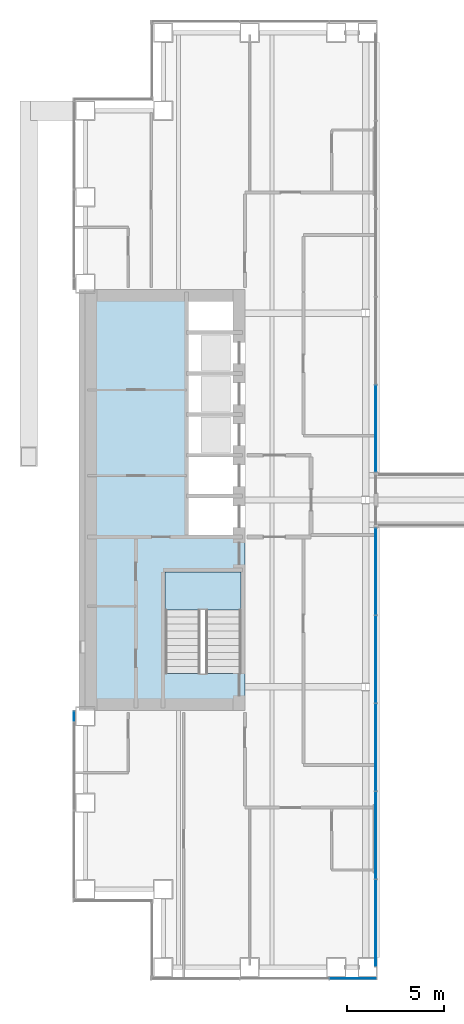
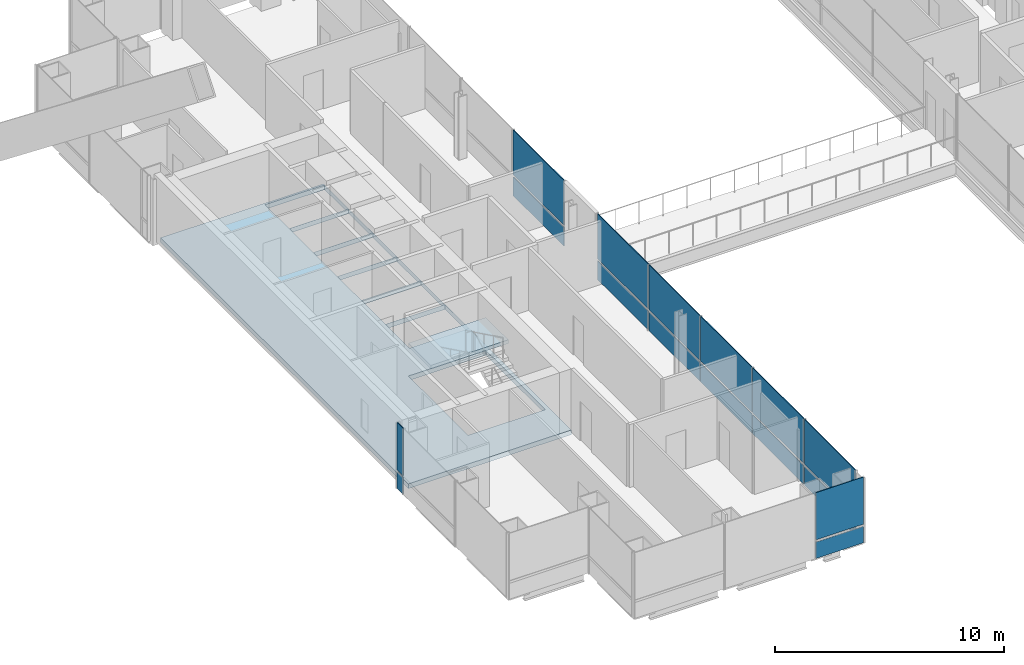
# One storey, part 9 of 19: 16 plates, 2 slabs, 5 elements without a shape of their own.
"""IFC4 building model written with IfcOpenShell, lengths in metres."""

from ifc_helpers import new_model, si_unit, direction, frame, origin, origin_2d, place, context, subcontext, project, spatial, polyline, rectangle, outline, extrude, material, layer, layer_set, type_object, element, aggregate, save


model = new_model("IFC4")

# Units and contexts
model_context = context("Model", 3, precision=1e-05, world=origin(), true_north=direction((0.0, 1.0)))
body_context = subcontext(model_context, "Body", "Model", "MODEL_VIEW")
ifc_project = project(units=[si_unit("LENGTHUNIT", "METRE"), si_unit("AREAUNIT", "SQUARE_METRE"), si_unit("VOLUMEUNIT", "CUBIC_METRE"), si_unit("PLANEANGLEUNIT", "RADIAN"), si_unit("MASSUNIT", "GRAM", prefix="KILO")], contexts=[model_context])

# Site, building, storey
site_placement = place(None, origin())
site = spatial("IfcSite", under=ifc_project, at=site_placement, CompositionType="ELEMENT")
building_placement = place(site_placement, origin())
building = spatial("IfcBuilding", under=site, at=building_placement, Name="Cobrizo Arcos Hotel Tower", CompositionType="ELEMENT")
storey_placement = place(building_placement, frame((0.0, 0.0, 70.5)))
storey = spatial("IfcBuildingStorey", under=building, at=storey_placement, Name="L16", CompositionType="ELEMENT", Elevation=70.5)

# Curtain wall, plate
ifc_material_1 = material(Name="Aluminium 6063-T6 anodised bronze", Category="aluminium")
curtain_wall_type_1 = type_object("IfcCurtainWallType", Name="CW-A guest facade", PredefinedType="NOTDEFINED", material=ifc_material_1)
curtain_wall_1_placement = place(storey_placement, origin())
curtain_wall_1 = element("IfcCurtainWall", 1, at=curtain_wall_1_placement, inside=storey, type_object=curtain_wall_type_1, Name="CW-A L16 S face", PredefinedType="NOTDEFINED")
ifc_material_2 = material(Name="Glass clear laminated low-e", Category="glass")
ifc_layer_1 = layer(ifc_material_2, 0.0400390625)
ifc_layer_set_1 = layer_set([ifc_layer_1], Name="CW-A glass panel")
plate_type_1 = type_object("IfcPlateType", Name="CW-A glass panel", PredefinedType="CURTAIN_PANEL", material=ifc_layer_set_1)
plate_1_placement = place(storey_placement, frame((-10.251220703125, -24.574951171875, 0.990234375), z_axis=(0.0, 0.0, 1.0), x_axis=(1.0, 0.0, 0.0)))
plate_1 = element("IfcPlate", 2, at=plate_1_placement, type_object=plate_type_1, Name="CW-A glass panel 687", PredefinedType="CURTAIN_PANEL", context=body_context, shape_type="SweptSolid", body=[
    extrude(rectangle(XDim=2.38232421875, YDim=0.0400390625, at=origin_2d()), origin(), (0.0, 0.0, 1.0), 2.510009765625),
])

curtain_wall_2_placement = place(storey_placement, origin())
curtain_wall_2 = element("IfcCurtainWall", 3, at=curtain_wall_2_placement, inside=storey, type_object=curtain_wall_type_1, Name="CW-A L16 W face", PredefinedType="NOTDEFINED")
plate_2_placement = place(storey_placement, frame((-24.574951171875, -11.109375, 0.990234375), z_axis=(0.0, 0.0, 1.0), x_axis=(0.0, -1.0, 0.0)))
plate_2 = element("IfcPlate", 4, at=plate_2_placement, type_object=plate_type_1, Name="CW-A glass panel 712", PredefinedType="CURTAIN_PANEL", context=body_context, shape_type="SweptSolid", body=[
    extrude(rectangle(XDim=0.498779296875, YDim=0.0400390625, at=origin_2d()), origin(), (0.0, 0.0, 1.0), 2.510009765625),
])

# Plate
ifc_material_3 = material(Name="Aluminium composite panel pale metal", Category="aluminium")
ifc_layer_2 = layer(ifc_material_3, 0.0400390625)
ifc_layer_set_2 = layer_set([ifc_layer_2], Name="CW-A spandrel panel")
plate_type_2 = type_object("IfcPlateType", Name="CW-A spandrel panel", PredefinedType="CURTAIN_PANEL", material=ifc_layer_set_2)
plate_3_placement = place(storey_placement, frame((-10.251220703125, -24.574951171875, 0.0), z_axis=(0.0, 0.0, 1.0), x_axis=(1.0, 0.0, 0.0)))
plate_3 = element("IfcPlate", 5, at=plate_3_placement, type_object=plate_type_2, Name="CW-A spandrel panel 687", PredefinedType="CURTAIN_PANEL", context=body_context, shape_type="SweptSolid", body=[
    extrude(rectangle(XDim=2.38232421875, YDim=0.0400390625, at=origin_2d()), origin(), (0.0, 0.0, 1.0), 0.8701171875),
])

aggregate(curtain_wall_1, [plate_3, plate_1])

plate_4_placement = place(storey_placement, frame((-24.574951171875, -11.109375, 0.0), z_axis=(0.0, 0.0, 1.0), x_axis=(0.0, -1.0, 0.0)))
plate_4 = element("IfcPlate", 6, at=plate_4_placement, type_object=plate_type_2, Name="CW-A spandrel panel 712", PredefinedType="CURTAIN_PANEL", context=body_context, shape_type="SweptSolid", body=[
    extrude(rectangle(XDim=0.498779296875, YDim=0.0400390625, at=origin_2d()), origin(), (0.0, 0.0, 1.0), 0.8701171875),
])

aggregate(curtain_wall_2, [plate_4, plate_2])

# Curtain wall, plates
curtain_wall_type_2 = type_object("IfcCurtainWallType", Name="CW-F void screen", PredefinedType="NOTDEFINED", material=ifc_material_1)
curtain_wall_3_placement = place(storey_placement, origin())
curtain_wall_3 = element("IfcCurtainWall", 7, at=curtain_wall_3_placement, inside=storey, type_object=curtain_wall_type_2, Name="CW-F L16 void screen A", PredefinedType="NOTDEFINED")
ifc_layer_3 = layer(ifc_material_2, 0.0400390625)
ifc_layer_set_3 = layer_set([ifc_layer_3], Name="CW-F glass panel")
plate_type_3 = type_object("IfcPlateType", Name="CW-F glass panel", PredefinedType="CURTAIN_PANEL", material=ifc_layer_set_3)
plate_5_placement = place(storey_placement, frame((-9.074951171875, 3.675048828125, 0.0), z_axis=(0.0, 0.0, 1.0), x_axis=(0.0, -1.0, 0.0)))
plate_5 = element("IfcPlate", 8, at=plate_5_placement, type_object=plate_type_3, Name="CW-F glass panel 2502", PredefinedType="CURTAIN_PANEL", context=body_context, shape_type="SweptSolid", body=[
    extrude(rectangle(XDim=4.429931640625, YDim=0.0400390625, at=origin_2d()), origin(), (0.0, 0.0, 1.0), 0.989990234375),
])
plate_6_placement = place(storey_placement, frame((-9.074951171875, 3.675048828125, 1.10986328125), z_axis=(0.0, 0.0, 1.0), x_axis=(0.0, -1.0, 0.0)))
plate_6 = element("IfcPlate", 9, at=plate_6_placement, type_object=plate_type_3, Name="CW-F glass panel 2502", PredefinedType="CURTAIN_PANEL", context=body_context, shape_type="SweptSolid", body=[
    extrude(rectangle(XDim=4.429931640625, YDim=0.0400390625, at=origin_2d()), origin(), (0.0, 0.0, 1.0), 2.389892578125),
])
aggregate(curtain_wall_3, [plate_5, plate_6])

curtain_wall_4_placement = place(storey_placement, origin())
curtain_wall_4 = element("IfcCurtainWall", 10, at=curtain_wall_4_placement, inside=storey, type_object=curtain_wall_type_2, Name="CW-F L16 void screen A", PredefinedType="NOTDEFINED")
plate_7_placement = place(storey_placement, frame((-9.074951171875, -3.675048828125, 0.0), z_axis=(0.0, 0.0, 1.0), x_axis=(0.0, -1.0, 0.0)))
plate_7 = element("IfcPlate", 11, at=plate_7_placement, type_object=plate_type_3, Name="CW-F glass panel 2503", PredefinedType="CURTAIN_PANEL", context=body_context, shape_type="SweptSolid", body=[
    extrude(rectangle(XDim=4.429931640625, YDim=0.0400390625, at=origin_2d()), origin(), (0.0, 0.0, 1.0), 0.989990234375),
])
plate_8_placement = place(storey_placement, frame((-9.074951171875, -3.675048828125, 1.10986328125), z_axis=(0.0, 0.0, 1.0), x_axis=(0.0, -1.0, 0.0)))
plate_8 = element("IfcPlate", 12, at=plate_8_placement, type_object=plate_type_3, Name="CW-F glass panel 2503", PredefinedType="CURTAIN_PANEL", context=body_context, shape_type="SweptSolid", body=[
    extrude(rectangle(XDim=4.429931640625, YDim=0.0400390625, at=origin_2d()), origin(), (0.0, 0.0, 1.0), 2.389892578125),
])
plate_9_placement = place(storey_placement, frame((-9.074951171875, -8.179931640625, 0.0), z_axis=(0.0, 0.0, 1.0), x_axis=(0.0, -1.0, 0.0)))
plate_9 = element("IfcPlate", 13, at=plate_9_placement, type_object=plate_type_3, Name="CW-F glass panel 2504", PredefinedType="CURTAIN_PANEL", context=body_context, shape_type="SweptSolid", body=[
    extrude(rectangle(XDim=4.4599609375, YDim=0.0400390625, at=origin_2d()), origin(), (0.0, 0.0, 1.0), 0.989990234375),
])
plate_10_placement = place(storey_placement, frame((-9.074951171875, -8.179931640625, 1.10986328125), z_axis=(0.0, 0.0, 1.0), x_axis=(0.0, -1.0, 0.0)))
plate_10 = element("IfcPlate", 14, at=plate_10_placement, type_object=plate_type_3, Name="CW-F glass panel 2504", PredefinedType="CURTAIN_PANEL", context=body_context, shape_type="SweptSolid", body=[
    extrude(rectangle(XDim=4.4599609375, YDim=0.0400390625, at=origin_2d()), origin(), (0.0, 0.0, 1.0), 2.389892578125),
])
plate_11_placement = place(storey_placement, frame((-9.074951171875, -12.699951171875, 0.0), z_axis=(0.0, 0.0, 1.0), x_axis=(0.0, -1.0, 0.0)))
plate_11 = element("IfcPlate", 15, at=plate_11_placement, type_object=plate_type_3, Name="CW-F glass panel 2505", PredefinedType="CURTAIN_PANEL", context=body_context, shape_type="SweptSolid", body=[
    extrude(rectangle(XDim=4.4599609375, YDim=0.0400390625, at=origin_2d()), origin(), (0.0, 0.0, 1.0), 0.989990234375),
])
plate_12_placement = place(storey_placement, frame((-9.074951171875, -12.699951171875, 1.10986328125), z_axis=(0.0, 0.0, 1.0), x_axis=(0.0, -1.0, 0.0)))
plate_12 = element("IfcPlate", 16, at=plate_12_placement, type_object=plate_type_3, Name="CW-F glass panel 2505", PredefinedType="CURTAIN_PANEL", context=body_context, shape_type="SweptSolid", body=[
    extrude(rectangle(XDim=4.4599609375, YDim=0.0400390625, at=origin_2d()), origin(), (0.0, 0.0, 1.0), 2.389892578125),
])
plate_13_placement = place(storey_placement, frame((-9.074951171875, -17.219970703125, 0.0), z_axis=(0.0, 0.0, 1.0), x_axis=(0.0, -1.0, 0.0)))
plate_13 = element("IfcPlate", 17, at=plate_13_placement, type_object=plate_type_3, Name="CW-F glass panel 2506", PredefinedType="CURTAIN_PANEL", context=body_context, shape_type="SweptSolid", body=[
    extrude(rectangle(XDim=4.4599609375, YDim=0.0400390625, at=origin_2d()), origin(), (0.0, 0.0, 1.0), 0.989990234375),
])
plate_14_placement = place(storey_placement, frame((-9.074951171875, -17.219970703125, 1.10986328125), z_axis=(0.0, 0.0, 1.0), x_axis=(0.0, -1.0, 0.0)))
plate_14 = element("IfcPlate", 18, at=plate_14_placement, type_object=plate_type_3, Name="CW-F glass panel 2506", PredefinedType="CURTAIN_PANEL", context=body_context, shape_type="SweptSolid", body=[
    extrude(rectangle(XDim=4.4599609375, YDim=0.0400390625, at=origin_2d()), origin(), (0.0, 0.0, 1.0), 2.389892578125),
])
plate_15_placement = place(storey_placement, frame((-9.074951171875, -21.72509765625, 0.0), z_axis=(0.0, 0.0, 1.0), x_axis=(0.0, -1.0, 0.0)))
plate_15 = element("IfcPlate", 19, at=plate_15_placement, type_object=plate_type_3, Name="CW-F glass panel 2507", PredefinedType="CURTAIN_PANEL", context=body_context, shape_type="SweptSolid", body=[
    extrude(rectangle(XDim=4.429931640625, YDim=0.0400390625, at=origin_2d()), origin(), (0.0, 0.0, 1.0), 0.989990234375),
])
plate_16_placement = place(storey_placement, frame((-9.074951171875, -21.72509765625, 1.10986328125), z_axis=(0.0, 0.0, 1.0), x_axis=(0.0, -1.0, 0.0)))
plate_16 = element("IfcPlate", 20, at=plate_16_placement, type_object=plate_type_3, Name="CW-F glass panel 2507", PredefinedType="CURTAIN_PANEL", context=body_context, shape_type="SweptSolid", body=[
    extrude(rectangle(XDim=4.429931640625, YDim=0.0400390625, at=origin_2d()), origin(), (0.0, 0.0, 1.0), 2.389892578125),
])
aggregate(curtain_wall_4, [plate_7, plate_8, plate_9, plate_10, plate_11, plate_12, plate_13, plate_14, plate_15, plate_16])

# Slab
ifc_material_4 = material(Name="Concrete f'c 60 MPa", Category="concrete")
ifc_layer_4 = layer(ifc_material_4, 0.25)
ifc_layer_set_4 = layer_set([ifc_layer_4], Name="RC core floor slab 250 f'c 60")
slab_type_1 = type_object("IfcSlabType", Name="RC core floor slab 250 f'c 60", PredefinedType="FLOOR", material=ifc_layer_set_4)
slab_1_placement = place(storey_placement, frame((0.0, 0.0, -0.25)))
element("IfcSlab", 21, at=slab_1_placement, inside=storey, type_object=slab_type_1, Name="Core floor slab CS3, west core, L16", PredefinedType="FLOOR", context=body_context, shape_type="SweptSolid", body=[
    extrude(outline(polyline([(-24.0, 10.800048828125), (-15.800048828125, 10.800048828125), (-15.800048828125, -10.800048828125), (-24.0, -10.800048828125), (-24.0, 10.800048828125)]), holes=[polyline([(-19.89794921875, -3.701904296875), (-19.89794921875, -8.89794921875), (-16.001953125, -8.89794921875), (-16.001953125, -3.701904296875), (-19.89794921875, -3.701904296875)]), polyline([(-18.798095703125, 0.197998046875), (-18.798095703125, -1.89794921875), (-15.802001953125, -1.89794921875), (-15.802001953125, 0.197998046875), (-18.798095703125, 0.197998046875)]), polyline([(-15.802001953125, 2.298095703125), (-18.798095703125, 2.298095703125), (-18.798095703125, 0.201904296875), (-15.802001953125, 0.201904296875), (-15.802001953125, 2.298095703125)]), polyline([(-15.802001953125, 4.39794921875), (-18.798095703125, 4.39794921875), (-18.798095703125, 2.302001953125), (-15.802001953125, 2.302001953125), (-15.802001953125, 4.39794921875)]), polyline([(-18.798095703125, 6.498046875), (-18.798095703125, 4.402099609375), (-15.802001953125, 4.402099609375), (-15.802001953125, 6.498046875), (-18.798095703125, 6.498046875)]), polyline([(-15.802001953125, 8.597900390625), (-18.798095703125, 8.597900390625), (-18.798095703125, 6.501953125), (-15.802001953125, 6.501953125), (-15.802001953125, 8.597900390625)]), polyline([(-15.802001953125, 10.697998046875), (-18.798095703125, 10.697998046875), (-18.798095703125, 8.60205078125), (-15.802001953125, 8.60205078125), (-15.802001953125, 10.697998046875)])]), origin(), (0.0, 0.0, 1.0), 0.25),
])

# Stair, slab
ifc_material_5 = material(Name="Concrete f'c 40 MPa", Category="concrete")
stair_type = type_object("IfcStairType", Name="Exit stair", PredefinedType="HALF_TURN_STAIR", material=ifc_material_5)
stair_placement = place(storey_placement, origin())
stair = element("IfcStair", 22, at=stair_placement, inside=storey, type_object=stair_type, Name="L16 Exit stair ST-W", PredefinedType="HALF_TURN_STAIR")
ifc_layer_5 = layer(ifc_material_5, 0.199951171875)
ifc_layer_set_5 = layer_set([ifc_layer_5], Name="Stair landing")
slab_type_2 = type_object("IfcSlabType", Name="Stair landing", PredefinedType="LANDING", material=ifc_layer_set_5)
slab_2_placement = place(storey_placement, frame((0.0, 0.0, 1.550048828125)))
slab_2 = element("IfcSlab", 23, at=slab_2_placement, type_object=slab_type_2, Name="ST-W landing 1", PredefinedType="LANDING", context=body_context, shape_type="SweptSolid", body=[
    extrude(outline(polyline([(-16.0, -5.659912109375), (-16.0, -3.699951171875), (-19.89990234375, -3.699951171875), (-19.89990234375, -5.659912109375), (-16.0, -5.659912109375)])), origin(), (0.0, 0.0, 1.0), 0.199951171875),
])
aggregate(stair, [slab_2])

save(model, "model.ifc")
